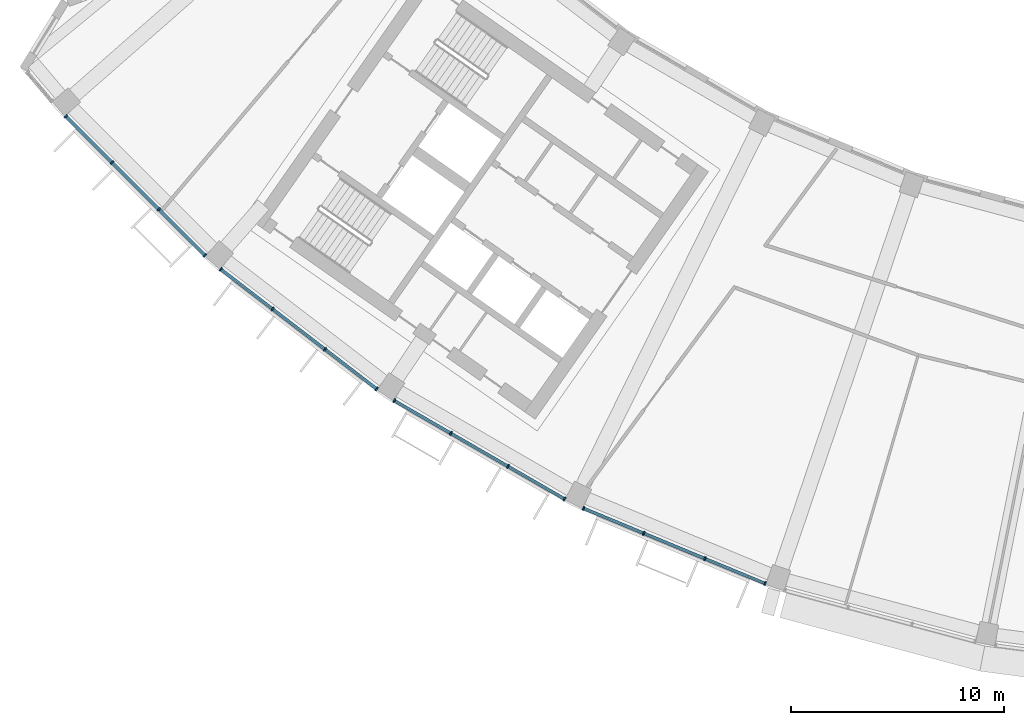
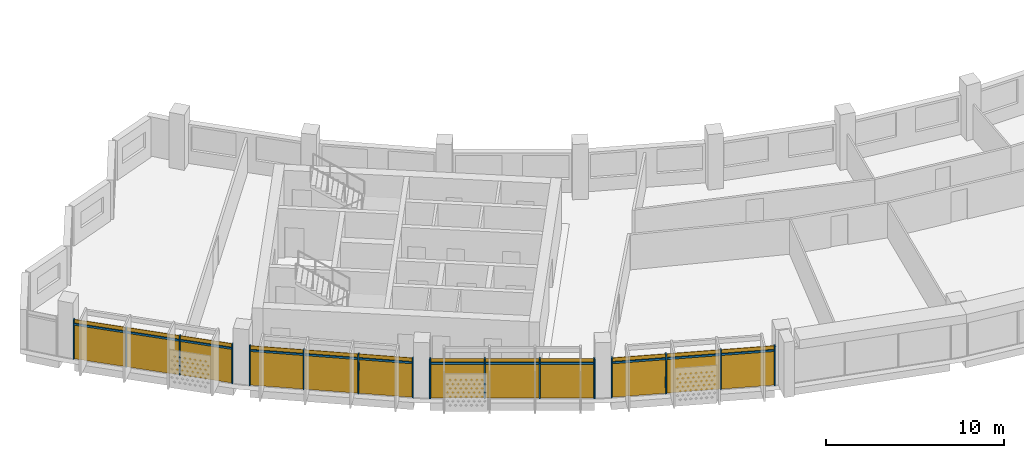
# One storey, part 17 of 27: 28 members, 4 curtain walls.
"""IFC4 building model written with IfcOpenShell, lengths in metres."""

from ifc_helpers import new_model, si_unit, direction, frame, origin, origin_2d, place, context, subcontext, project, spatial, rectangle, extrude, material, material_profile, profile_set, type_object, element, aggregate, save


model = new_model("IFC4")

# Units and contexts
model_context = context("Model", 3, precision=1e-05, world=origin(), true_north=direction((0.0, 1.0)))
body_context = subcontext(model_context, "Body", "Model", "MODEL_VIEW")
ifc_project = project(units=[si_unit("LENGTHUNIT", "METRE"), si_unit("AREAUNIT", "SQUARE_METRE"), si_unit("VOLUMEUNIT", "CUBIC_METRE"), si_unit("PLANEANGLEUNIT", "RADIAN"), si_unit("MASSUNIT", "GRAM", prefix="KILO")], contexts=[model_context])

# Member
ifc_material = material(Name="Aluminium 6063-T6 anodised", Category="aluminium")
ifc_material_profile_1 = material_profile(ifc_material, rectangle(XDim=0.199951171875, YDim=0.070068359375, at=origin_2d()))
ifc_profile_set_1 = profile_set([ifc_material_profile_1], Name="Aluminium 6063-T6 anodised")
member_type_1 = type_object("IfcMemberType", Name="Mullion 70 x 200 aluminium", PredefinedType="MULLION", material=ifc_profile_set_1)
site_placement = place(None, origin())
building_placement = place(site_placement, origin())
storey_placement = place(building_placement, frame((0.0, 0.0, 280.89990234375)))
member_1_placement = place(storey_placement, frame((-58.482421875, -51.942626953125, 0.0), z_axis=(0.0, 0.0, 1.0), x_axis=(0.707106781187, 0.707106781187, 0.0)))
member_1 = element("IfcMember", 1, at=member_1_placement, type_object=member_type_1, Name="e-cw1-L68-out01/M00", PredefinedType="MULLION", context=body_context, shape_type="SweptSolid", body=[
    extrude(rectangle(XDim=0.199951171875, YDim=0.070068359375, at=origin_2d()), origin(), (0.0, 0.0, 1.0), 2.7001953125),
])

member_2_placement = place(storey_placement, frame((-56.310791015625, -54.1142578125, 0.0), z_axis=(0.0, 0.0, 1.0), x_axis=(0.707106781187, 0.707106781187, 0.0)))
member_2 = element("IfcMember", 2, at=member_2_placement, type_object=member_type_1, Name="e-cw1-L68-out01/M01", PredefinedType="MULLION", context=body_context, shape_type="SweptSolid", body=[
    extrude(rectangle(XDim=0.199951171875, YDim=0.070068359375, at=origin_2d()), origin(), (0.0, 0.0, 1.0), 2.7001953125),
])

member_3_placement = place(storey_placement, frame((-54.1142578125, -56.310791015625, 0.0), z_axis=(0.0, 0.0, 1.0), x_axis=(0.707106781187, 0.707106781187, 0.0)))
member_3 = element("IfcMember", 3, at=member_3_placement, type_object=member_type_1, Name="e-cw1-L68-out01/M02", PredefinedType="MULLION", context=body_context, shape_type="SweptSolid", body=[
    extrude(rectangle(XDim=0.199951171875, YDim=0.070068359375, at=origin_2d()), origin(), (0.0, 0.0, 1.0), 2.7001953125),
])

member_4_placement = place(storey_placement, frame((-51.942626953125, -58.482421875, 0.0), z_axis=(0.0, 0.0, 1.0), x_axis=(0.707106781187, 0.707106781187, 0.0)))
member_4 = element("IfcMember", 4, at=member_4_placement, type_object=member_type_1, Name="e-cw1-L68-out01/M03", PredefinedType="MULLION", context=body_context, shape_type="SweptSolid", body=[
    extrude(rectangle(XDim=0.199951171875, YDim=0.070068359375, at=origin_2d()), origin(), (0.0, 0.0, 1.0), 2.7001953125),
])

member_5_placement = place(storey_placement, frame((-51.2021484375, -59.131591796875, 0.0), z_axis=(0.0, 0.0, 1.0), x_axis=(0.608761429009, 0.793353340291, 0.0)))
member_5 = element("IfcMember", 5, at=member_5_placement, type_object=member_type_1, Name="e-cw1-L68-out02/M00", PredefinedType="MULLION", context=body_context, shape_type="SweptSolid", body=[
    extrude(rectangle(XDim=0.199951171875, YDim=0.070068359375, at=origin_2d()), origin(), (0.0, 0.0, 1.0), 2.7001953125),
])

member_6_placement = place(storey_placement, frame((-48.765625, -61.001220703125, 0.0), z_axis=(0.0, 0.0, 1.0), x_axis=(0.608761429009, 0.793353340291, 0.0)))
member_6 = element("IfcMember", 6, at=member_6_placement, type_object=member_type_1, Name="e-cw1-L68-out02/M01", PredefinedType="MULLION", context=body_context, shape_type="SweptSolid", body=[
    extrude(rectangle(XDim=0.199951171875, YDim=0.070068359375, at=origin_2d()), origin(), (0.0, 0.0, 1.0), 2.7001953125),
])

member_7_placement = place(storey_placement, frame((-46.30126953125, -62.892333984375, 0.0), z_axis=(0.0, 0.0, 1.0), x_axis=(0.608761429009, 0.793353340291, 0.0)))
member_7 = element("IfcMember", 7, at=member_7_placement, type_object=member_type_1, Name="e-cw1-L68-out02/M02", PredefinedType="MULLION", context=body_context, shape_type="SweptSolid", body=[
    extrude(rectangle(XDim=0.199951171875, YDim=0.070068359375, at=origin_2d()), origin(), (0.0, 0.0, 1.0), 2.7001953125),
])

member_8_placement = place(storey_placement, frame((-43.86474609375, -64.761962890625, 0.0), z_axis=(0.0, 0.0, 1.0), x_axis=(0.608761429009, 0.793353340291, 0.0)))
member_8 = element("IfcMember", 8, at=member_8_placement, type_object=member_type_1, Name="e-cw1-L68-out02/M03", PredefinedType="MULLION", context=body_context, shape_type="SweptSolid", body=[
    extrude(rectangle(XDim=0.199951171875, YDim=0.070068359375, at=origin_2d()), origin(), (0.0, 0.0, 1.0), 2.7001953125),
])

member_9_placement = place(storey_placement, frame((-43.0458984375, -65.30908203125, 0.0), z_axis=(0.0, 0.0, 1.0), x_axis=(0.5, 0.866025403784, 0.0)))
member_9 = element("IfcMember", 9, at=member_9_placement, type_object=member_type_1, Name="e-cw1-L68-out03/M00", PredefinedType="MULLION", context=body_context, shape_type="SweptSolid", body=[
    extrude(rectangle(XDim=0.199951171875, YDim=0.070068359375, at=origin_2d()), origin(), (0.0, 0.0, 1.0), 2.7001953125),
])

member_10_placement = place(storey_placement, frame((-40.38623046875, -66.8447265625, 0.0), z_axis=(0.0, 0.0, 1.0), x_axis=(0.5, 0.866025403784, 0.0)))
member_10 = element("IfcMember", 10, at=member_10_placement, type_object=member_type_1, Name="e-cw1-L68-out03/M01", PredefinedType="MULLION", context=body_context, shape_type="SweptSolid", body=[
    extrude(rectangle(XDim=0.199951171875, YDim=0.070068359375, at=origin_2d()), origin(), (0.0, 0.0, 1.0), 2.7001953125),
])

member_11_placement = place(storey_placement, frame((-37.696044921875, -68.397705078125, 0.0), z_axis=(0.0, 0.0, 1.0), x_axis=(0.5, 0.866025403784, 0.0)))
member_11 = element("IfcMember", 11, at=member_11_placement, type_object=member_type_1, Name="e-cw1-L68-out03/M02", PredefinedType="MULLION", context=body_context, shape_type="SweptSolid", body=[
    extrude(rectangle(XDim=0.199951171875, YDim=0.070068359375, at=origin_2d()), origin(), (0.0, 0.0, 1.0), 2.7001953125),
])

member_12_placement = place(storey_placement, frame((-35.036376953125, -69.933349609375, 0.0), z_axis=(0.0, 0.0, 1.0), x_axis=(0.5, 0.866025403784, 0.0)))
member_12 = element("IfcMember", 12, at=member_12_placement, type_object=member_type_1, Name="e-cw1-L68-out03/M03", PredefinedType="MULLION", context=body_context, shape_type="SweptSolid", body=[
    extrude(rectangle(XDim=0.199951171875, YDim=0.070068359375, at=origin_2d()), origin(), (0.0, 0.0, 1.0), 2.7001953125),
])

member_13_placement = place(storey_placement, frame((-34.153076171875, -70.368896484375, 0.0), z_axis=(0.0, 0.0, 1.0), x_axis=(0.382683432365, 0.923879532511, 0.0)))
member_13 = element("IfcMember", 13, at=member_13_placement, type_object=member_type_1, Name="e-cw1-L68-out04/M00", PredefinedType="MULLION", context=body_context, shape_type="SweptSolid", body=[
    extrude(rectangle(XDim=0.199951171875, YDim=0.070068359375, at=origin_2d()), origin(), (0.0, 0.0, 1.0), 2.7001953125),
])

member_14_placement = place(storey_placement, frame((-31.315673828125, -71.544189453125, 0.0), z_axis=(0.0, 0.0, 1.0), x_axis=(0.382683432365, 0.923879532511, 0.0)))
member_14 = element("IfcMember", 14, at=member_14_placement, type_object=member_type_1, Name="e-cw1-L68-out04/M01", PredefinedType="MULLION", context=body_context, shape_type="SweptSolid", body=[
    extrude(rectangle(XDim=0.199951171875, YDim=0.070068359375, at=origin_2d()), origin(), (0.0, 0.0, 1.0), 2.7001953125),
])

member_15_placement = place(storey_placement, frame((-28.44580078125, -72.73291015625, 0.0), z_axis=(0.0, 0.0, 1.0), x_axis=(0.382683432365, 0.923879532511, 0.0)))
member_15 = element("IfcMember", 15, at=member_15_placement, type_object=member_type_1, Name="e-cw1-L68-out04/M02", PredefinedType="MULLION", context=body_context, shape_type="SweptSolid", body=[
    extrude(rectangle(XDim=0.199951171875, YDim=0.070068359375, at=origin_2d()), origin(), (0.0, 0.0, 1.0), 2.7001953125),
])

member_16_placement = place(storey_placement, frame((-25.6083984375, -73.908203125, 0.0), z_axis=(0.0, 0.0, 1.0), x_axis=(0.382683432365, 0.923879532511, 0.0)))
member_16 = element("IfcMember", 16, at=member_16_placement, type_object=member_type_1, Name="e-cw1-L68-out04/M03", PredefinedType="MULLION", context=body_context, shape_type="SweptSolid", body=[
    extrude(rectangle(XDim=0.199951171875, YDim=0.070068359375, at=origin_2d()), origin(), (0.0, 0.0, 1.0), 2.7001953125),
])

ifc_material_profile_2 = material_profile(ifc_material, rectangle(XDim=0.139892578125, YDim=0.1201171875, at=origin_2d()))
ifc_profile_set_2 = profile_set([ifc_material_profile_2], Name="Aluminium 6063-T6 anodised")
member_type_2 = type_object("IfcMemberType", Name="Transom 120 x 140 aluminium", PredefinedType="USERDEFINED", material=ifc_profile_set_2)
member_17_placement = place(storey_placement, frame((-58.45751953125, -51.96728515625, 2.400146484375), z_axis=(0.707066106633, -0.707147453401, 0.0), x_axis=(0.707147453401, 0.707066106633, 0.0)))
member_17 = element("IfcMember", 17, at=member_17_placement, type_object=member_type_2, Name="e-cw1-L68-out01/T00", ObjectType="TRANSOM", PredefinedType="USERDEFINED", context=body_context, shape_type="SweptSolid", body=[
    extrude(rectangle(XDim=0.139892578125, YDim=0.1201171875, at=origin_2d()), origin(), (0.0, 0.0, 1.0), 3.001220703125),
])

member_18_placement = place(storey_placement, frame((-56.285888671875, -54.138916015625, 2.400146484375), z_axis=(0.707106781187, -0.707106781187, 0.0), x_axis=(0.707106781187, 0.707106781187, 0.0)))
member_18 = element("IfcMember", 18, at=member_18_placement, type_object=member_type_2, Name="e-cw1-L68-out01/T01", ObjectType="TRANSOM", PredefinedType="USERDEFINED", context=body_context, shape_type="SweptSolid", body=[
    extrude(rectangle(XDim=0.139892578125, YDim=0.1201171875, at=origin_2d()), origin(), (0.0, 0.0, 1.0), 3.036376953125),
])

member_19_placement = place(storey_placement, frame((-54.089599609375, -56.33544921875, 2.400146484375), z_axis=(0.707147453401, -0.707066106633, 0.0), x_axis=(0.707066106633, 0.707147453401, 0.0)))
member_19 = element("IfcMember", 19, at=member_19_placement, type_object=member_type_2, Name="e-cw1-L68-out01/T02", ObjectType="TRANSOM", PredefinedType="USERDEFINED", context=body_context, shape_type="SweptSolid", body=[
    extrude(rectangle(XDim=0.139892578125, YDim=0.1201171875, at=origin_2d()), origin(), (0.0, 0.0, 1.0), 3.001220703125),
])

member_20_placement = place(storey_placement, frame((-51.17431640625, -59.153076171875, 2.400146484375), z_axis=(0.793352271072, -0.60876282244, 0.0), x_axis=(0.60876282244, 0.793352271072, 0.0)))
member_20 = element("IfcMember", 20, at=member_20_placement, type_object=member_type_2, Name="e-cw1-L68-out02/T00", ObjectType="TRANSOM", PredefinedType="USERDEFINED", context=body_context, shape_type="SweptSolid", body=[
    extrude(rectangle(XDim=0.139892578125, YDim=0.1201171875, at=origin_2d()), origin(), (0.0, 0.0, 1.0), 3.0009765625),
])

member_21_placement = place(storey_placement, frame((-48.73779296875, -61.022705078125, 2.400146484375), z_axis=(0.79333190513, -0.608789362836, 0.0), x_axis=(0.608789362836, 0.79333190513, 0.0)))
member_21 = element("IfcMember", 21, at=member_21_placement, type_object=member_type_2, Name="e-cw1-L68-out02/T01", ObjectType="TRANSOM", PredefinedType="USERDEFINED", context=body_context, shape_type="SweptSolid", body=[
    extrude(rectangle(XDim=0.139892578125, YDim=0.1201171875, at=origin_2d()), origin(), (0.0, 0.0, 1.0), 3.0361328125),
])

member_22_placement = place(storey_placement, frame((-46.2734375, -62.91357421875, 2.400146484375), z_axis=(0.793312980955, -0.60881402271, 0.0), x_axis=(0.60881402271, 0.793312980955, 0.0)))
member_22 = element("IfcMember", 22, at=member_22_placement, type_object=member_type_2, Name="e-cw1-L68-out02/T02", ObjectType="TRANSOM", PredefinedType="USERDEFINED", context=body_context, shape_type="SweptSolid", body=[
    extrude(rectangle(XDim=0.139892578125, YDim=0.1201171875, at=origin_2d()), origin(), (0.0, 0.0, 1.0), 3.001220703125),
])

member_23_placement = place(storey_placement, frame((-43.015625, -65.32666015625, 2.400146484375), z_axis=(0.866041993159, -0.49997126526, 0.0), x_axis=(0.49997126526, 0.866041993159, 0.0)))
member_23 = element("IfcMember", 23, at=member_23_placement, type_object=member_type_2, Name="e-cw1-L68-out03/T00", ObjectType="TRANSOM", PredefinedType="USERDEFINED", context=body_context, shape_type="SweptSolid", body=[
    extrude(rectangle(XDim=0.139892578125, YDim=0.1201171875, at=origin_2d()), origin(), (0.0, 0.0, 1.0), 3.001220703125),
])

member_24_placement = place(storey_placement, frame((-40.35595703125, -66.862060546875, 2.400146484375), z_axis=(0.866012861315, -0.500021723565, 0.0), x_axis=(0.500021723565, 0.866012861315, 0.0)))
member_24 = element("IfcMember", 24, at=member_24_placement, type_object=member_type_2, Name="e-cw1-L68-out03/T01", ObjectType="TRANSOM", PredefinedType="USERDEFINED", context=body_context, shape_type="SweptSolid", body=[
    extrude(rectangle(XDim=0.139892578125, YDim=0.1201171875, at=origin_2d()), origin(), (0.0, 0.0, 1.0), 3.036376953125),
])

member_25_placement = place(storey_placement, frame((-37.665771484375, -68.415283203125, 2.400146484375), z_axis=(0.866041993159, -0.49997126526, 0.0), x_axis=(0.49997126526, 0.866041993159, 0.0)))
member_25 = element("IfcMember", 25, at=member_25_placement, type_object=member_type_2, Name="e-cw1-L68-out03/T02", ObjectType="TRANSOM", PredefinedType="USERDEFINED", context=body_context, shape_type="SweptSolid", body=[
    extrude(rectangle(XDim=0.139892578125, YDim=0.1201171875, at=origin_2d()), origin(), (0.0, 0.0, 1.0), 3.001220703125),
])

member_26_placement = place(storey_placement, frame((-34.120849609375, -70.38232421875, 2.400146484375), z_axis=(0.923897869521, -0.382639159907, 0.0), x_axis=(0.382639159907, 0.923897869521, 0.0)))
member_26 = element("IfcMember", 26, at=member_26_placement, type_object=member_type_2, Name="e-cw1-L68-out04/T00", ObjectType="TRANSOM", PredefinedType="USERDEFINED", context=body_context, shape_type="SweptSolid", body=[
    extrude(rectangle(XDim=0.139892578125, YDim=0.1201171875, at=origin_2d()), origin(), (0.0, 0.0, 1.0), 3.00146484375),
])

member_27_placement = place(storey_placement, frame((-31.283447265625, -71.5576171875, 2.400146484375), z_axis=(0.923888454036, -0.38266189319, 0.0), x_axis=(0.38266189319, 0.923888454036, 0.0)))
member_27 = element("IfcMember", 27, at=member_27_placement, type_object=member_type_2, Name="e-cw1-L68-out04/T01", ObjectType="TRANSOM", PredefinedType="USERDEFINED", context=body_context, shape_type="SweptSolid", body=[
    extrude(rectangle(XDim=0.139892578125, YDim=0.1201171875, at=origin_2d()), origin(), (0.0, 0.0, 1.0), 3.036376953125),
])

member_28_placement = place(storey_placement, frame((-28.41357421875, -72.746337890625, 2.400146484375), z_axis=(0.923885958475, -0.382667918347, 0.0), x_axis=(0.382667918347, 0.923885958475, 0.0)))
member_28 = element("IfcMember", 28, at=member_28_placement, type_object=member_type_2, Name="e-cw1-L68-out04/T02", ObjectType="TRANSOM", PredefinedType="USERDEFINED", context=body_context, shape_type="SweptSolid", body=[
    extrude(rectangle(XDim=0.139892578125, YDim=0.1201171875, at=origin_2d()), origin(), (0.0, 0.0, 1.0), 3.001220703125),
])

# Site, building, storey
site = spatial("IfcSite", under=ifc_project, at=site_placement, CompositionType="ELEMENT")
building = spatial("IfcBuilding", under=site, at=building_placement, Name="Qamariyya Broadcast Tower", CompositionType="ELEMENT")
storey = spatial("IfcBuildingStorey", under=building, at=storey_placement, Name="L68", CompositionType="ELEMENT", Elevation=280.89990234375)

# Curtain wall
curtain_wall_type = type_object("IfcCurtainWallType", Name="Unitised curtain wall, anodised aluminium", PredefinedType="NOTDEFINED", material=ifc_material)
curtain_wall_1_placement = place(storey_placement, origin())
curtain_wall_1 = element("IfcCurtainWall", 29, at=curtain_wall_1_placement, inside=storey, type_object=curtain_wall_type, Name="e-cw1-L68-out01", PredefinedType="NOTDEFINED", context=body_context, shape_type="SweptSolid", body=[
    extrude(rectangle(XDim=3.001220703125, YDim=0.031982421875, at=origin_2d()), frame((-57.396484375, -53.0283203125, 0.0), x_axis=(0.707106781187, -0.707106781187, 0.0)), (0.0, 0.0, 1.0), 2.340087890625),
    extrude(rectangle(XDim=3.001220703125, YDim=0.031982421875, at=origin_2d()), frame((-57.396484375, -53.0283203125, 2.460205078125), x_axis=(0.707106781187, -0.707106781187, 0.0)), (0.0, 0.0, 1.0), 0.239990234375),
    extrude(rectangle(XDim=3.0361328125, YDim=0.031982421875, at=origin_2d()), frame((-55.21240234375, -55.21240234375, 0.0), x_axis=(0.707106781187, -0.707106781187, 0.0)), (0.0, 0.0, 1.0), 2.340087890625),
    extrude(rectangle(XDim=3.0361328125, YDim=0.031982421875, at=origin_2d()), frame((-55.21240234375, -55.21240234375, 2.460205078125), x_axis=(0.707106781187, -0.707106781187, 0.0)), (0.0, 0.0, 1.0), 0.239990234375),
    extrude(rectangle(XDim=3.001220703125, YDim=0.031982421875, at=origin_2d()), frame((-53.0283203125, -57.396484375, 0.0), x_axis=(0.707106781187, -0.707106781187, 0.0)), (0.0, 0.0, 1.0), 2.340087890625),
    extrude(rectangle(XDim=3.001220703125, YDim=0.031982421875, at=origin_2d()), frame((-53.0283203125, -57.396484375, 2.460205078125), x_axis=(0.707106781187, -0.707106781187, 0.0)), (0.0, 0.0, 1.0), 0.239990234375),
])

aggregate(curtain_wall_1, [member_1, member_2, member_3, member_4, member_17, member_18, member_19])

curtain_wall_2_placement = place(storey_placement, origin())
curtain_wall_2 = element("IfcCurtainWall", 30, at=curtain_wall_2_placement, inside=storey, type_object=curtain_wall_type, Name="e-cw1-L68-out02", PredefinedType="NOTDEFINED", context=body_context, shape_type="SweptSolid", body=[
    extrude(rectangle(XDim=3.001220703125, YDim=0.031982421875, at=origin_2d()), frame((-49.98388671875, -60.06640625, 0.0), x_axis=(0.793355818396, -0.608758199466, 0.0)), (0.0, 0.0, 1.0), 2.340087890625),
    extrude(rectangle(XDim=3.001220703125, YDim=0.031982421875, at=origin_2d()), frame((-49.98388671875, -60.06640625, 2.460205078125), x_axis=(0.793355818396, -0.608758199466, 0.0)), (0.0, 0.0, 1.0), 0.239990234375),
    extrude(rectangle(XDim=3.0361328125, YDim=0.031982421875, at=origin_2d()), frame((-47.533447265625, -61.94677734375, 0.0), x_axis=(0.793355818396, -0.608758199466, 0.0)), (0.0, 0.0, 1.0), 2.340087890625),
    extrude(rectangle(XDim=3.0361328125, YDim=0.031982421875, at=origin_2d()), frame((-47.533447265625, -61.94677734375, 2.460205078125), x_axis=(0.793355818396, -0.608758199466, 0.0)), (0.0, 0.0, 1.0), 0.239990234375),
    extrude(rectangle(XDim=3.001220703125, YDim=0.031982421875, at=origin_2d()), frame((-45.0830078125, -63.8271484375, 0.0), x_axis=(0.793355818396, -0.608758199466, 0.0)), (0.0, 0.0, 1.0), 2.340087890625),
    extrude(rectangle(XDim=3.001220703125, YDim=0.031982421875, at=origin_2d()), frame((-45.0830078125, -63.8271484375, 2.460205078125), x_axis=(0.793355818396, -0.608758199466, 0.0)), (0.0, 0.0, 1.0), 0.239990234375),
])

aggregate(curtain_wall_2, [member_5, member_6, member_7, member_8, member_20, member_21, member_22])

curtain_wall_3_placement = place(storey_placement, origin())
curtain_wall_3 = element("IfcCurtainWall", 31, at=curtain_wall_3_placement, inside=storey, type_object=curtain_wall_type, Name="e-cw1-L68-out03", PredefinedType="NOTDEFINED", context=body_context, shape_type="SweptSolid", body=[
    extrude(rectangle(XDim=3.001220703125, YDim=0.031982421875, at=origin_2d()), frame((-41.716064453125, -66.076904296875, 0.0), x_axis=(0.866017611601, -0.500013496215, 0.0)), (0.0, 0.0, 1.0), 2.340087890625),
    extrude(rectangle(XDim=3.001220703125, YDim=0.031982421875, at=origin_2d()), frame((-41.716064453125, -66.076904296875, 2.460205078125), x_axis=(0.866017611601, -0.500013496215, 0.0)), (0.0, 0.0, 1.0), 0.239990234375),
    extrude(rectangle(XDim=3.0361328125, YDim=0.031982421875, at=origin_2d()), frame((-39.041015625, -67.62109375, 0.0), x_axis=(0.866017611601, -0.500013496215, 0.0)), (0.0, 0.0, 1.0), 2.340087890625),
    extrude(rectangle(XDim=3.0361328125, YDim=0.031982421875, at=origin_2d()), frame((-39.041015625, -67.62109375, 2.460205078125), x_axis=(0.866017611601, -0.500013496215, 0.0)), (0.0, 0.0, 1.0), 0.239990234375),
    extrude(rectangle(XDim=3.001220703125, YDim=0.031982421875, at=origin_2d()), frame((-36.3662109375, -69.16552734375, 0.0), x_axis=(0.866017611601, -0.500013496215, 0.0)), (0.0, 0.0, 1.0), 2.340087890625),
    extrude(rectangle(XDim=3.001220703125, YDim=0.031982421875, at=origin_2d()), frame((-36.3662109375, -69.16552734375, 2.460205078125), x_axis=(0.866017611601, -0.500013496215, 0.0)), (0.0, 0.0, 1.0), 0.239990234375),
])

aggregate(curtain_wall_3, [member_9, member_10, member_11, member_12, member_23, member_24, member_25])

curtain_wall_4_placement = place(storey_placement, origin())
curtain_wall_4 = element("IfcCurtainWall", 32, at=curtain_wall_4_placement, inside=storey, type_object=curtain_wall_type, Name="e-cw1-L68-out04", PredefinedType="NOTDEFINED", context=body_context, shape_type="SweptSolid", body=[
    extrude(rectangle(XDim=3.001220703125, YDim=0.031982421875, at=origin_2d()), frame((-32.734375, -70.95654296875, 0.0), x_axis=(0.923877930643, -0.382687299595, 0.0)), (0.0, 0.0, 1.0), 2.340087890625),
    extrude(rectangle(XDim=3.001220703125, YDim=0.031982421875, at=origin_2d()), frame((-32.734375, -70.95654296875, 2.460205078125), x_axis=(0.923877930643, -0.382687299595, 0.0)), (0.0, 0.0, 1.0), 0.239990234375),
    extrude(rectangle(XDim=3.0361328125, YDim=0.031982421875, at=origin_2d()), frame((-29.880859375, -72.138671875, 0.0), x_axis=(0.923877930643, -0.382687299595, 0.0)), (0.0, 0.0, 1.0), 2.340087890625),
    extrude(rectangle(XDim=3.0361328125, YDim=0.031982421875, at=origin_2d()), frame((-29.880859375, -72.138671875, 2.460205078125), x_axis=(0.923877930643, -0.382687299595, 0.0)), (0.0, 0.0, 1.0), 0.239990234375),
    extrude(rectangle(XDim=3.001220703125, YDim=0.031982421875, at=origin_2d()), frame((-27.02734375, -73.320556640625, 0.0), x_axis=(0.923877930643, -0.382687299595, 0.0)), (0.0, 0.0, 1.0), 2.340087890625),
    extrude(rectangle(XDim=3.001220703125, YDim=0.031982421875, at=origin_2d()), frame((-27.02734375, -73.320556640625, 2.460205078125), x_axis=(0.923877930643, -0.382687299595, 0.0)), (0.0, 0.0, 1.0), 0.239990234375),
])

aggregate(curtain_wall_4, [member_13, member_14, member_15, member_16, member_26, member_27, member_28])

save(model, "model.ifc")
